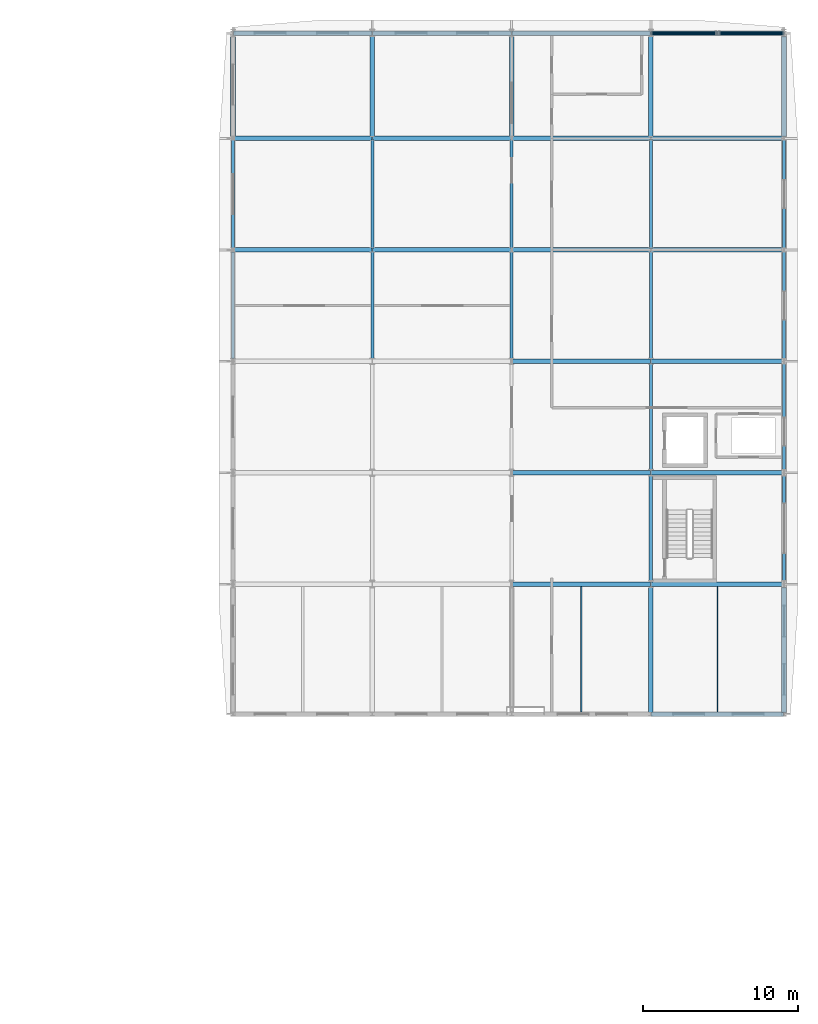
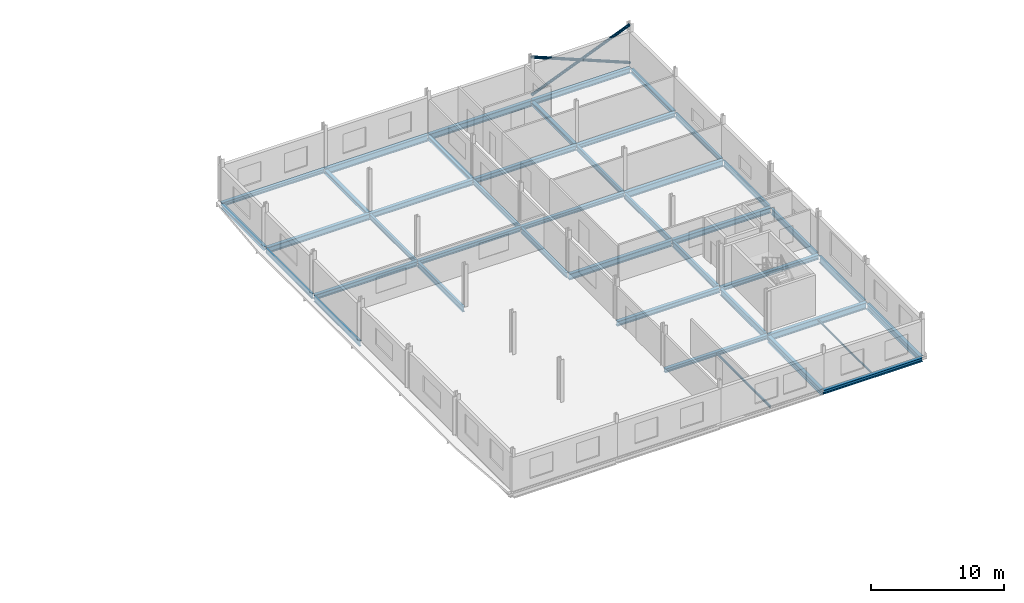
# One storey, part 25 of 49: 42 beams, 3 members.
"""IFC4 building model written with IfcOpenShell, lengths in metres."""

from ifc_helpers import new_model, si_unit, direction, frame, origin, origin_2d, place, context, subcontext, project, spatial, hollow_circle, i_section, extrude, material, material_profile, profile_set, type_object, element, save


model = new_model("IFC4")

# Units and contexts
model_context = context("Model", 3, precision=1e-05, world=origin(), true_north=direction((0.0, 1.0)))
body_context = subcontext(model_context, "Body", "Model", "MODEL_VIEW")
ifc_project = project(units=[si_unit("LENGTHUNIT", "METRE"), si_unit("AREAUNIT", "SQUARE_METRE"), si_unit("VOLUMEUNIT", "CUBIC_METRE"), si_unit("PLANEANGLEUNIT", "RADIAN"), si_unit("MASSUNIT", "GRAM", prefix="KILO")], contexts=[model_context])

# Site, building, storey
site_placement = place(None, origin())
site = spatial("IfcSite", under=ifc_project, at=site_placement, CompositionType="ELEMENT")
building_placement = place(site_placement, origin())
building = spatial("IfcBuilding", under=site, at=building_placement, Name="Vinh Khe Railworks Police Headquarters", CompositionType="ELEMENT")
storey_placement = place(building_placement, frame((0.0, 0.0, 17.10009765625)))
storey = spatial("IfcBuildingStorey", under=building, at=storey_placement, Name="L04", CompositionType="ELEMENT", Elevation=17.10009765625)

# Members
ifc_material = material(Name="Steel S355JR", Category="steel")
ifc_material_profile_1 = material_profile(ifc_material, hollow_circle(Radius=0.122314453125, WallThickness=0.012451171875, at=origin_2d()), Name="CHS 244.5x12.5")
ifc_profile_set_1 = profile_set([ifc_material_profile_1], Name="Steel S355JR")
member_type = type_object("IfcMemberType", Name="Concentric Brace CHS 244.5x12.5", PredefinedType="BRACE", material=ifc_profile_set_1)
member_1_placement = place(storey_placement, frame((105.02001953125, 166.39990234375, 0.199951171875), z_axis=(0.925616747105, 0.0, 0.378462200858), x_axis=(0.0, 1.0, 0.0)))
element("IfcMember", 1, at=member_1_placement, inside=storey, type_object=member_type, Name="Continuous Concentric Brace MEM-BR-L04-BR-09-061", PredefinedType="BRACE", context=body_context, shape_type="SweptSolid", body=[
    extrude(hollow_circle(Radius=0.122314453125, WallThickness=0.012451171875, at=origin_2d()), origin(), (0.0, 0.0, 1.0), 9.248046875),
])
member_2_placement = place(storey_placement, frame((105.02001953125, 166.39990234375, 3.699951171875), z_axis=(0.925615261908, 0.0, -0.378465833231), x_axis=(0.0, 1.0, 0.0)))
element("IfcMember", 2, at=member_2_placement, inside=storey, type_object=member_type, Name="Split X-Brace Segment MEM-BR-L04-BR-09-062 (2A)", PredefinedType="BRACE", context=body_context, shape_type="SweptSolid", body=[
    extrude(hollow_circle(Radius=0.122314453125, WallThickness=0.012451171875, at=origin_2d()), origin(), (0.0, 0.0, 1.0), 4.496826171875),
])
member_3_placement = place(storey_placement, frame((109.41748046875, 166.39990234375, 1.90185546875), z_axis=(0.925623037836, 0.0, -0.378446815059), x_axis=(0.0, 1.0, 0.0)))
element("IfcMember", 3, at=member_3_placement, inside=storey, type_object=member_type, Name="Split X-Brace Segment MEM-BR-L04-BR-09-063 (2B)", PredefinedType="BRACE", context=body_context, shape_type="SweptSolid", body=[
    extrude(hollow_circle(Radius=0.122314453125, WallThickness=0.012451171875, at=origin_2d()), origin(), (0.0, 0.0, 1.0), 4.4970703125),
])

# Beams
ifc_material_profile_2 = material_profile(ifc_material, i_section(OverallWidth=0.08203125, OverallDepth=0.159912109375, WebThickness=0.0048828125, FlangeThickness=0.00732421875, FilletRadius=0.009033203125, at=origin_2d()), Name="IPE 160")
ifc_profile_set_2 = profile_set([ifc_material_profile_2], Name="Steel S355JR")
beam_type_1 = type_object("IfcBeamType", Name="Secondary Joist IPE 160", PredefinedType="JOIST", material=ifc_profile_set_2)
beam_1_placement = place(storey_placement, frame((109.300048828125, 122.550048828125, -0.280029296875), z_axis=(0.0, 1.0, 0.0), x_axis=(-1.0, 0.0, 0.0)))
element("IfcBeam", 4, at=beam_1_placement, inside=storey, type_object=beam_type_1, Name="Secondary Joist JST-L04-SJ-08-0040", PredefinedType="JOIST", context=body_context, shape_type="SweptSolid", body=[
    extrude(i_section(OverallWidth=0.08203125, OverallDepth=0.159912109375, WebThickness=0.0048828125, FlangeThickness=0.00732421875, FilletRadius=0.009033203125, at=origin_2d()), origin(), (0.0, 0.0, 1.0), 8.099853515625),
])
ifc_material_profile_3 = material_profile(ifc_material, i_section(OverallWidth=0.10009765625, OverallDepth=0.199951171875, WebThickness=0.005615234375, FlangeThickness=0.008544921875, FilletRadius=0.011962890625, at=origin_2d()), Name="IPE 200")
ifc_profile_set_3 = profile_set([ifc_material_profile_3], Name="Steel S355JR")
beam_type_2 = type_object("IfcBeamType", Name="Secondary Joist IPE 200", PredefinedType="JOIST", material=ifc_profile_set_3)
beam_2_placement = place(storey_placement, frame((100.5, 122.550048828125, -0.300048828125), z_axis=(0.0, 1.0, 0.0), x_axis=(-1.0, 0.0, 0.0)))
element("IfcBeam", 5, at=beam_2_placement, inside=storey, type_object=beam_type_2, Name="Secondary Joist JST-L04-SJ-06-0039", PredefinedType="JOIST", context=body_context, shape_type="SweptSolid", body=[
    extrude(i_section(OverallWidth=0.10009765625, OverallDepth=0.199951171875, WebThickness=0.005615234375, FlangeThickness=0.008544921875, FilletRadius=0.011962890625, at=origin_2d()), origin(), (0.0, 0.0, 1.0), 8.099853515625),
])
ifc_material_profile_4 = material_profile(ifc_material, i_section(OverallWidth=0.300048828125, OverallDepth=0.35009765625, WebThickness=0.010009765625, FlangeThickness=0.017578125, FilletRadius=0.027099609375, at=origin_2d()), Name="HEA 360")
ifc_profile_set_4 = profile_set([ifc_material_profile_4], Name="Steel S355JR")
beam_type_3 = type_object("IfcBeamType", Name="Steel Girder HEA 360", PredefinedType="BEAM", material=ifc_profile_set_4)
beam_3_placement = place(storey_placement, frame((105.02001953125, 122.39990234375, -0.375), z_axis=(1.0, 0.0, 0.0), x_axis=(0.0, 1.0, 0.0)))
element("IfcBeam", 6, at=beam_3_placement, inside=storey, type_object=beam_type_3, Name="Girder BM-L04-EW-SB-15-1344", PredefinedType="BEAM", context=body_context, shape_type="SweptSolid", body=[
    extrude(i_section(OverallWidth=0.300048828125, OverallDepth=0.35009765625, WebThickness=0.010009765625, FlangeThickness=0.017578125, FilletRadius=0.027099609375, at=origin_2d()), origin(), (0.0, 0.0, 1.0), 8.56005859375),
])
for number, where, z_axis, x_axis, name in (
    (7, (96.02001953125, 130.800048828125, -0.375), (1.0, 0.0, 0.0), (0.0, 1.0, 0.0), "Girder BM-L04-EW-SB-15-1350"),
    (8, (96.02001953125, 152.39990234375, -0.375), (1.0, 0.0, 0.0), (0.0, 1.0, 0.0), "Girder BM-L04-EW-SB-15-1362"),
    (9, (78.02001953125, 166.39990234375, -0.375), (1.0, 0.0, 0.0), (0.0, 1.0, 0.0), "Girder BM-L04-EW-SB-15-1368"),
):
    element("IfcBeam", number, at=place(storey_placement, frame(where, z_axis=z_axis, x_axis=x_axis)), inside=storey, type_object=beam_type_3, Name=name, PredefinedType="BEAM", context=body_context, shape_type="SweptSolid", body=[
        extrude(i_section(OverallWidth=0.300048828125, OverallDepth=0.35009765625, WebThickness=0.010009765625, FlangeThickness=0.017578125, FilletRadius=0.027099609375, at=origin_2d()), origin(), (0.0, 0.0, 1.0), 8.9599609375),
    ])
for number, where, z_axis, x_axis, name in (
    (10, (78.0, 159.7099609375, -0.375), (0.0, 1.0, 0.0), (-1.0, 0.0, 0.0), "Girder BM-L04-NS-SB-15-1453"),
    (11, (87.0, 159.7099609375, -0.375), (0.0, 1.0, 0.0), (-1.0, 0.0, 0.0), "Girder BM-L04-NS-SB-15-1459"),
    (12, (96.0, 159.7099609375, -0.375), (0.0, 1.0, 0.0), (-1.0, 0.0, 0.0), "Girder BM-L04-NS-SB-15-1465"),
    (13, (105.0, 159.7099609375, -0.375), (0.0, 1.0, 0.0), (-1.0, 0.0, 0.0), "Girder BM-L04-NS-SB-15-1471"),
    (14, (113.60009765625, 159.7099609375, -0.375), (0.0, 1.0, 0.0), (-1.0, 0.0, 0.0), "Girder BM-L04-NS-SB-15-1477"),
):
    element("IfcBeam", number, at=place(storey_placement, frame(where, z_axis=z_axis, x_axis=x_axis)), inside=storey, type_object=beam_type_3, Name=name, PredefinedType="BEAM", context=body_context, shape_type="SweptSolid", body=[
        extrude(i_section(OverallWidth=0.300048828125, OverallDepth=0.35009765625, WebThickness=0.010009765625, FlangeThickness=0.017578125, FilletRadius=0.027099609375, at=origin_2d()), origin(), (0.0, 0.0, 1.0), 6.465087890625),
    ])
ifc_material_profile_5 = material_profile(ifc_material, i_section(OverallWidth=0.300048828125, OverallDepth=0.389892578125, WebThickness=0.010986328125, FlangeThickness=0.01904296875, FilletRadius=0.027099609375, at=origin_2d()), Name="HEA 400")
ifc_profile_set_5 = profile_set([ifc_material_profile_5], Name="Steel S355JR")
beam_type_4 = type_object("IfcBeamType", Name="Steel Girder HEA 400", PredefinedType="BEAM", material=ifc_profile_set_5)
beam_4_placement = place(storey_placement, frame((105.02001953125, 138.0, -0.39501953125), z_axis=(1.0, 0.0, 0.0), x_axis=(0.0, 1.0, 0.0)))
element("IfcBeam", 15, at=beam_4_placement, inside=storey, type_object=beam_type_4, Name="Girder BM-L04-EW-SB-14-1355", PredefinedType="BEAM", context=body_context, shape_type="SweptSolid", body=[
    extrude(i_section(OverallWidth=0.300048828125, OverallDepth=0.389892578125, WebThickness=0.010986328125, FlangeThickness=0.01904296875, FilletRadius=0.027099609375, at=origin_2d()), origin(), (0.0, 0.0, 1.0), 8.56005859375),
])
beam_5_placement = place(storey_placement, frame((87.02001953125, 152.39990234375, -0.39501953125), z_axis=(1.0, 0.0, 0.0), x_axis=(0.0, 1.0, 0.0)))
element("IfcBeam", 16, at=beam_5_placement, inside=storey, type_object=beam_type_4, Name="Girder BM-L04-EW-SB-14-1361", PredefinedType="BEAM", context=body_context, shape_type="SweptSolid", body=[
    extrude(i_section(OverallWidth=0.300048828125, OverallDepth=0.389892578125, WebThickness=0.010986328125, FlangeThickness=0.01904296875, FilletRadius=0.027099609375, at=origin_2d()), origin(), (0.0, 0.0, 1.0), 8.9599609375),
])
beam_6_placement = place(storey_placement, frame((105.02001953125, 159.60009765625, -0.39501953125), z_axis=(1.0, 0.0, 0.0), x_axis=(0.0, 1.0, 0.0)))
element("IfcBeam", 17, at=beam_6_placement, inside=storey, type_object=beam_type_4, Name="Girder BM-L04-EW-SB-14-1367", PredefinedType="BEAM", context=body_context, shape_type="SweptSolid", body=[
    extrude(i_section(OverallWidth=0.300048828125, OverallDepth=0.389892578125, WebThickness=0.010986328125, FlangeThickness=0.01904296875, FilletRadius=0.027099609375, at=origin_2d()), origin(), (0.0, 0.0, 1.0), 8.56005859375),
])
ifc_material_profile_6 = material_profile(ifc_material, i_section(OverallWidth=0.300048828125, OverallDepth=0.43994140625, WebThickness=0.011474609375, FlangeThickness=0.02099609375, FilletRadius=0.027099609375, at=origin_2d()), Name="HEA 450")
ifc_profile_set_6 = profile_set([ifc_material_profile_6], Name="Steel S355JR")
beam_type_5 = type_object("IfcBeamType", Name="Steel Girder HEA 450", PredefinedType="BEAM", material=ifc_profile_set_6)
for number, where, z_axis, x_axis, name in (
    (18, (96.02001953125, 138.0, -0.420166015625), (1.0, 0.0, 0.0), (0.0, 1.0, 0.0), "Girder BM-L04-EW-SB-13-1354"),
    (19, (78.02001953125, 152.39990234375, -0.420166015625), (1.0, 0.0, 0.0), (0.0, 1.0, 0.0), "Girder BM-L04-EW-SB-13-1360"),
    (20, (96.02001953125, 159.60009765625, -0.420166015625), (1.0, 0.0, 0.0), (0.0, 1.0, 0.0), "Girder BM-L04-EW-SB-13-1366"),
):
    element("IfcBeam", number, at=place(storey_placement, frame(where, z_axis=z_axis, x_axis=x_axis)), inside=storey, type_object=beam_type_5, Name=name, PredefinedType="BEAM", context=body_context, shape_type="SweptSolid", body=[
        extrude(i_section(OverallWidth=0.300048828125, OverallDepth=0.43994140625, WebThickness=0.011474609375, FlangeThickness=0.02099609375, FilletRadius=0.027099609375, at=origin_2d()), origin(), (0.0, 0.0, 1.0), 8.9599609375),
    ])
ifc_material_profile_7 = material_profile(ifc_material, i_section(OverallWidth=0.300048828125, OverallDepth=0.489990234375, WebThickness=0.011962890625, FlangeThickness=0.02294921875, FilletRadius=0.027099609375, at=origin_2d()), Name="HEA 500")
ifc_profile_set_7 = profile_set([ifc_material_profile_7], Name="Steel S355JR")
beam_type_6 = type_object("IfcBeamType", Name="Steel Girder HEA 500", PredefinedType="BEAM", material=ifc_profile_set_7)
beam_7_placement = place(storey_placement, frame((105.02001953125, 145.199951171875, -0.445068359375), z_axis=(1.0, 0.0, 0.0), x_axis=(0.0, 1.0, 0.0)))
element("IfcBeam", 21, at=beam_7_placement, inside=storey, type_object=beam_type_6, Name="Girder BM-L04-EW-SB-12-1359", PredefinedType="BEAM", context=body_context, shape_type="SweptSolid", body=[
    extrude(i_section(OverallWidth=0.300048828125, OverallDepth=0.489990234375, WebThickness=0.011962890625, FlangeThickness=0.02294921875, FilletRadius=0.027099609375, at=origin_2d()), origin(), (0.0, 0.0, 1.0), 8.56005859375),
])
beam_8_placement = place(storey_placement, frame((87.02001953125, 159.60009765625, -0.445068359375), z_axis=(1.0, 0.0, 0.0), x_axis=(0.0, 1.0, 0.0)))
element("IfcBeam", 22, at=beam_8_placement, inside=storey, type_object=beam_type_6, Name="Girder BM-L04-EW-SB-12-1365", PredefinedType="BEAM", context=body_context, shape_type="SweptSolid", body=[
    extrude(i_section(OverallWidth=0.300048828125, OverallDepth=0.489990234375, WebThickness=0.011962890625, FlangeThickness=0.02294921875, FilletRadius=0.027099609375, at=origin_2d()), origin(), (0.0, 0.0, 1.0), 8.9599609375),
])
beam_9_placement = place(storey_placement, frame((105.02001953125, 166.39990234375, -0.445068359375), z_axis=(1.0, 0.0, 0.0), x_axis=(0.0, 1.0, 0.0)))
element("IfcBeam", 23, at=beam_9_placement, inside=storey, type_object=beam_type_6, Name="Girder BM-L04-EW-SB-12-1371", PredefinedType="BEAM", context=body_context, shape_type="SweptSolid", body=[
    extrude(i_section(OverallWidth=0.300048828125, OverallDepth=0.489990234375, WebThickness=0.011962890625, FlangeThickness=0.02294921875, FilletRadius=0.027099609375, at=origin_2d()), origin(), (0.0, 0.0, 1.0), 8.56005859375),
])
ifc_material_profile_8 = material_profile(ifc_material, i_section(OverallWidth=0.300048828125, OverallDepth=0.5400390625, WebThickness=0.012451171875, FlangeThickness=0.02392578125, FilletRadius=0.027099609375, at=origin_2d()), Name="HEA 550")
ifc_profile_set_8 = profile_set([ifc_material_profile_8], Name="Steel S355JR")
beam_type_7 = type_object("IfcBeamType", Name="Steel Girder HEA 550", PredefinedType="BEAM", material=ifc_profile_set_8)
for number, where, z_axis, x_axis, name in (
    (24, (96.02001953125, 145.199951171875, -0.47021484375), (1.0, 0.0, 0.0), (0.0, 1.0, 0.0), "Girder BM-L04-EW-SB-11-1358"),
    (25, (78.02001953125, 159.60009765625, -0.47021484375), (1.0, 0.0, 0.0), (0.0, 1.0, 0.0), "Girder BM-L04-EW-SB-11-1364"),
    (26, (96.02001953125, 166.39990234375, -0.47021484375), (1.0, 0.0, 0.0), (0.0, 1.0, 0.0), "Girder BM-L04-EW-SB-11-1370"),
):
    element("IfcBeam", number, at=place(storey_placement, frame(where, z_axis=z_axis, x_axis=x_axis)), inside=storey, type_object=beam_type_7, Name=name, PredefinedType="BEAM", context=body_context, shape_type="SweptSolid", body=[
        extrude(i_section(OverallWidth=0.300048828125, OverallDepth=0.5400390625, WebThickness=0.012451171875, FlangeThickness=0.02392578125, FilletRadius=0.027099609375, at=origin_2d()), origin(), (0.0, 0.0, 1.0), 8.9599609375),
    ])
for number, where, z_axis, x_axis, name in (
    (27, (105.0, 122.510009765625, -0.47021484375), (0.0, 1.0, 0.0), (-1.0, 0.0, 0.0), "Girder BM-L04-NS-SB-11-1466"),
    (28, (113.60009765625, 122.510009765625, -0.47021484375), (0.0, 1.0, 0.0), (-1.0, 0.0, 0.0), "Girder BM-L04-NS-SB-11-1472"),
):
    element("IfcBeam", number, at=place(storey_placement, frame(where, z_axis=z_axis, x_axis=x_axis)), inside=storey, type_object=beam_type_7, Name=name, PredefinedType="BEAM", context=body_context, shape_type="SweptSolid", body=[
        extrude(i_section(OverallWidth=0.300048828125, OverallDepth=0.5400390625, WebThickness=0.012451171875, FlangeThickness=0.02392578125, FilletRadius=0.027099609375, at=origin_2d()), origin(), (0.0, 0.0, 1.0), 8.06494140625),
    ])
ifc_material_profile_9 = material_profile(ifc_material, i_section(OverallWidth=0.300048828125, OverallDepth=0.590087890625, WebThickness=0.012939453125, FlangeThickness=0.02490234375, FilletRadius=0.027099609375, at=origin_2d()), Name="HEA 600")
ifc_profile_set_9 = profile_set([ifc_material_profile_9], Name="Steel S355JR")
beam_type_8 = type_object("IfcBeamType", Name="Steel Girder HEA 600", PredefinedType="BEAM", material=ifc_profile_set_9)
for number, where, z_axis, x_axis, name in (
    (29, (105.02001953125, 130.800048828125, -0.4951171875), (1.0, 0.0, 0.0), (0.0, 1.0, 0.0), "Girder BM-L04-EW-SB-10-1351"),
    (30, (105.02001953125, 152.39990234375, -0.4951171875), (1.0, 0.0, 0.0), (0.0, 1.0, 0.0), "Girder BM-L04-EW-SB-10-1363"),
):
    element("IfcBeam", number, at=place(storey_placement, frame(where, z_axis=z_axis, x_axis=x_axis)), inside=storey, type_object=beam_type_8, Name=name, PredefinedType="BEAM", context=body_context, shape_type="SweptSolid", body=[
        extrude(i_section(OverallWidth=0.300048828125, OverallDepth=0.590087890625, WebThickness=0.012939453125, FlangeThickness=0.02490234375, FilletRadius=0.027099609375, at=origin_2d()), origin(), (0.0, 0.0, 1.0), 8.56005859375),
    ])
beam_10_placement = place(storey_placement, frame((87.02001953125, 166.39990234375, -0.4951171875), z_axis=(1.0, 0.0, 0.0), x_axis=(0.0, 1.0, 0.0)))
element("IfcBeam", 31, at=beam_10_placement, inside=storey, type_object=beam_type_8, Name="Girder BM-L04-EW-SB-10-1369", PredefinedType="BEAM", context=body_context, shape_type="SweptSolid", body=[
    extrude(i_section(OverallWidth=0.300048828125, OverallDepth=0.590087890625, WebThickness=0.012939453125, FlangeThickness=0.02490234375, FilletRadius=0.027099609375, at=origin_2d()), origin(), (0.0, 0.0, 1.0), 8.9599609375),
])
ifc_material_profile_10 = material_profile(ifc_material, i_section(OverallWidth=0.18994140625, OverallDepth=0.449951171875, WebThickness=0.009521484375, FlangeThickness=0.0146484375, FilletRadius=0.02099609375, at=origin_2d()), Name="IPE 450")
ifc_profile_set_10 = profile_set([ifc_material_profile_10], Name="Steel S355JR")
beam_type_9 = type_object("IfcBeamType", Name="Steel Girder IPE 450", PredefinedType="BEAM", material=ifc_profile_set_10)
for number, where, z_axis, x_axis, name in (
    (32, (78.0, 152.530029296875, -0.425048828125), (0.0, 1.0, 0.0), (-1.0, 0.0, 0.0), "Girder BM-L04-NS-SB-20-1452"),
    (33, (87.0, 152.530029296875, -0.425048828125), (0.0, 1.0, 0.0), (-1.0, 0.0, 0.0), "Girder BM-L04-NS-SB-20-1458"),
    (34, (96.0, 152.530029296875, -0.425048828125), (0.0, 1.0, 0.0), (-1.0, 0.0, 0.0), "Girder BM-L04-NS-SB-20-1464"),
    (35, (105.0, 152.530029296875, -0.425048828125), (0.0, 1.0, 0.0), (-1.0, 0.0, 0.0), "Girder BM-L04-NS-SB-20-1470"),
    (36, (113.60009765625, 152.530029296875, -0.425048828125), (0.0, 1.0, 0.0), (-1.0, 0.0, 0.0), "Girder BM-L04-NS-SB-20-1476"),
):
    element("IfcBeam", number, at=place(storey_placement, frame(where, z_axis=z_axis, x_axis=x_axis)), inside=storey, type_object=beam_type_9, Name=name, PredefinedType="BEAM", context=body_context, shape_type="SweptSolid", body=[
        extrude(i_section(OverallWidth=0.18994140625, OverallDepth=0.449951171875, WebThickness=0.009521484375, FlangeThickness=0.0146484375, FilletRadius=0.02099609375, at=origin_2d()), origin(), (0.0, 0.0, 1.0), 6.9599609375),
    ])
ifc_material_profile_11 = material_profile(ifc_material, i_section(OverallWidth=0.199951171875, OverallDepth=0.5, WebThickness=0.01025390625, FlangeThickness=0.01611328125, FilletRadius=0.02099609375, at=origin_2d()), Name="IPE 500")
ifc_profile_set_11 = profile_set([ifc_material_profile_11], Name="Steel S355JR")
beam_type_10 = type_object("IfcBeamType", Name="Steel Girder IPE 500", PredefinedType="BEAM", material=ifc_profile_set_11)
for number, where, z_axis, x_axis, name in (
    (37, (78.0, 145.375, -0.4501953125), (0.0, 1.0, 0.0), (-1.0, 0.0, 0.0), "Girder BM-L04-NS-SB-19-1451"),
    (38, (87.0, 145.375, -0.4501953125), (0.0, 1.0, 0.0), (-1.0, 0.0, 0.0), "Girder BM-L04-NS-SB-19-1457"),
    (39, (96.0, 145.375, -0.4501953125), (0.0, 1.0, 0.0), (-1.0, 0.0, 0.0), "Girder BM-L04-NS-SB-19-1463"),
    (40, (105.0, 145.375, -0.4501953125), (0.0, 1.0, 0.0), (-1.0, 0.0, 0.0), "Girder BM-L04-NS-SB-19-1469"),
    (41, (113.60009765625, 145.375, -0.4501953125), (0.0, 1.0, 0.0), (-1.0, 0.0, 0.0), "Girder BM-L04-NS-SB-19-1475"),
):
    element("IfcBeam", number, at=place(storey_placement, frame(where, z_axis=z_axis, x_axis=x_axis)), inside=storey, type_object=beam_type_10, Name=name, PredefinedType="BEAM", context=body_context, shape_type="SweptSolid", body=[
        extrude(i_section(OverallWidth=0.199951171875, OverallDepth=0.5, WebThickness=0.01025390625, FlangeThickness=0.01611328125, FilletRadius=0.02099609375, at=origin_2d()), origin(), (0.0, 0.0, 1.0), 6.89501953125),
    ])
ifc_material_profile_12 = material_profile(ifc_material, i_section(OverallWidth=0.2099609375, OverallDepth=0.550048828125, WebThickness=0.010986328125, FlangeThickness=0.01708984375, FilletRadius=0.02392578125, at=origin_2d()), Name="IPE 550")
ifc_profile_set_12 = profile_set([ifc_material_profile_12], Name="Steel S355JR")
beam_type_11 = type_object("IfcBeamType", Name="Steel Girder IPE 550", PredefinedType="BEAM", material=ifc_profile_set_12)
for number, where, z_axis, x_axis, name in (
    (42, (105.0, 138.199951171875, -0.47509765625), (0.0, 1.0, 0.0), (-1.0, 0.0, 0.0), "Girder BM-L04-NS-SB-18-1468"),
    (43, (113.60009765625, 138.199951171875, -0.47509765625), (0.0, 1.0, 0.0), (-1.0, 0.0, 0.0), "Girder BM-L04-NS-SB-18-1474"),
):
    element("IfcBeam", number, at=place(storey_placement, frame(where, z_axis=z_axis, x_axis=x_axis)), inside=storey, type_object=beam_type_11, Name=name, PredefinedType="BEAM", context=body_context, shape_type="SweptSolid", body=[
        extrude(i_section(OverallWidth=0.2099609375, OverallDepth=0.550048828125, WebThickness=0.010986328125, FlangeThickness=0.01708984375, FilletRadius=0.02392578125, at=origin_2d()), origin(), (0.0, 0.0, 1.0), 6.824951171875),
    ])
ifc_material_profile_13 = material_profile(ifc_material, i_section(OverallWidth=0.219970703125, OverallDepth=0.60009765625, WebThickness=0.011962890625, FlangeThickness=0.01904296875, FilletRadius=0.02392578125, at=origin_2d()), Name="IPE 600")
ifc_profile_set_13 = profile_set([ifc_material_profile_13], Name="Steel S355JR")
beam_type_12 = type_object("IfcBeamType", Name="Steel Girder IPE 600", PredefinedType="BEAM", material=ifc_profile_set_13)
for number, where, z_axis, x_axis, name in (
    (44, (105.0, 131.02490234375, -0.5), (0.0, 1.0, 0.0), (-1.0, 0.0, 0.0), "Girder BM-L04-NS-SB-17-1467"),
    (45, (113.60009765625, 131.02490234375, -0.5), (0.0, 1.0, 0.0), (-1.0, 0.0, 0.0), "Girder BM-L04-NS-SB-17-1473"),
):
    element("IfcBeam", number, at=place(storey_placement, frame(where, z_axis=z_axis, x_axis=x_axis)), inside=storey, type_object=beam_type_12, Name=name, PredefinedType="BEAM", context=body_context, shape_type="SweptSolid", body=[
        extrude(i_section(OverallWidth=0.219970703125, OverallDepth=0.60009765625, WebThickness=0.011962890625, FlangeThickness=0.01904296875, FilletRadius=0.02392578125, at=origin_2d()), origin(), (0.0, 0.0, 1.0), 6.775146484375),
    ])

save(model, "model.ifc")
